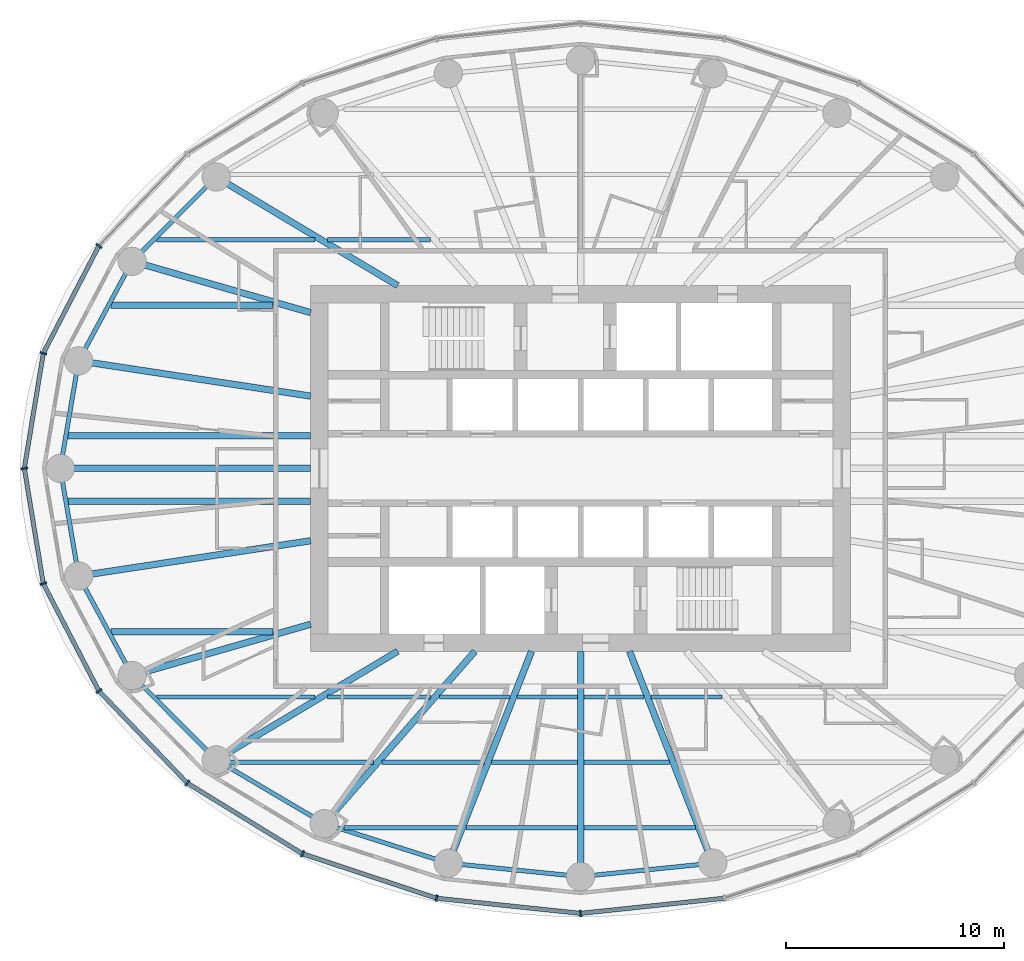
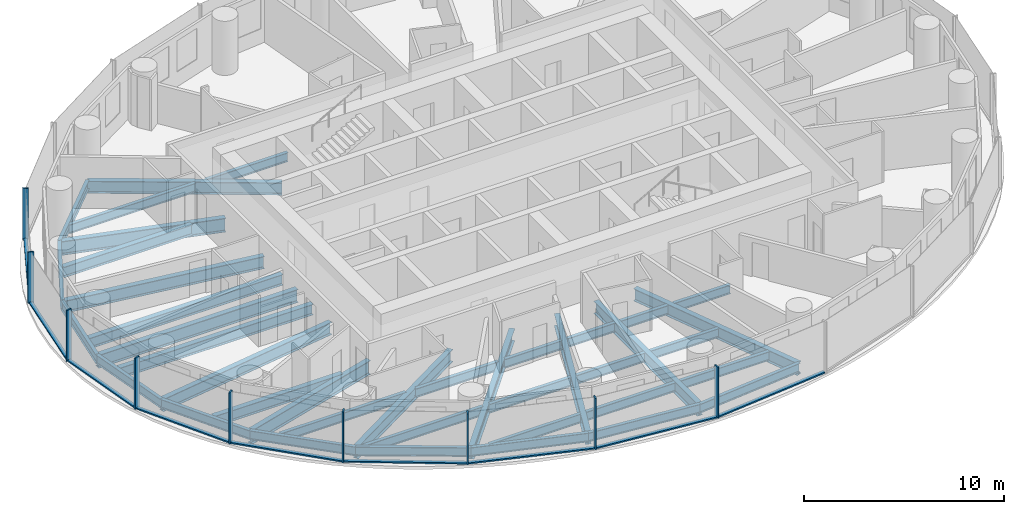
# One storey, part 2 of 13: 40 beams, 18 members, 3 elements without a shape of their own.
"""IFC4 building model written with IfcOpenShell, lengths in metres."""

import ifcopenshell
import ifcopenshell.guid

model = None  # the IFC model being written
_history = None  # IfcOwnerHistory: only IFC2X3 demands one
_inside = {}  # id of a spatial element -> (the spatial element, [elements in it])
_under = {}  # id of a project, library or spatial element -> (it, [spatial elements below it])
_declared = {}  # id of a project -> (the project, [libraries it declares])
_typed = {}  # id of a type object -> (the type object, [elements of that type])
_made_of = {}  # id of a material, layer set ... -> (it, [elements and type objects made of it])


def new_model(schema):
    """Start an empty IFC model of exactly this schema.

    Asked for "IFC4X3", IfcOpenShell would pick the latest addendum, in which some entities
    have other attributes; the version numbers below select the first issue.
    IFC2X3 requires an IfcOwnerHistory on every rooted entity: one is made here for all.
    """
    global model, _history
    if schema == "IFC4X3":
        model = ifcopenshell.file(schema_version=(4, 3, 0, 0))
    else:
        model = ifcopenshell.file(schema=schema)
    _inside.clear()
    _under.clear()
    _declared.clear()
    _typed.clear()
    _made_of.clear()
    _history = None
    if model.schema == "IFC2X3":
        org = make("IfcOrganization", Name="unknown")
        user = make(
            "IfcPersonAndOrganization",
            ThePerson=make("IfcPerson", FamilyName="unknown"),
            TheOrganization=org,
        )
        app = make(
            "IfcApplication",
            ApplicationDeveloper=org,
            Version="unknown",
            ApplicationFullName="unknown",
            ApplicationIdentifier="unknown",
        )
        _history = make(
            "IfcOwnerHistory",
            OwningUser=user,
            OwningApplication=app,
            ChangeAction="ADDED",
            CreationDate=0,
        )
    return model


def make(cls, **values):
    """One entity of the class cls with the attributes given. An attribute that is None is left unset."""
    return model.create_entity(
        cls, **{name: value for name, value in values.items() if value is not None}
    )


def rooted(cls, **values):
    """An entity with a GlobalId (a new one), such as an element, a storey or a relation."""
    return make(cls, GlobalId=ifcopenshell.guid.new(), OwnerHistory=_history, **values)


def si_unit(unit_type, name, prefix=None):
    """IfcSIUnit, for example si_unit("LENGTHUNIT", "METRE", prefix="MILLI")."""
    return make("IfcSIUnit", UnitType=unit_type, Prefix=prefix, Name=name)


def assignment(units):
    """IfcUnitAssignment: the units of a project."""
    return None if units is None else make("IfcUnitAssignment", Units=units)


def point(xyz):
    """IfcCartesianPoint."""
    return None if xyz is None else make("IfcCartesianPoint", Coordinates=xyz)


def direction(xyz):
    """IfcDirection."""
    return None if xyz is None else make("IfcDirection", DirectionRatios=xyz)


def frame(location, z_axis=None, x_axis=None):
    """IfcAxis2Placement3D, a coordinate frame: its origin and axes. An axis left out is left unset."""
    return make(
        "IfcAxis2Placement3D",
        Location=point(location),
        Axis=direction(z_axis),
        RefDirection=direction(x_axis),
    )


def frame_2d(location, x_axis=None):
    """IfcAxis2Placement2D, a coordinate frame in the plane: its origin and x axis."""
    return make(
        "IfcAxis2Placement2D", Location=point(location), RefDirection=direction(x_axis)
    )


def origin():
    """The frame at (0, 0, 0) with its axes left unset."""
    return frame((0.0, 0.0, 0.0))


def origin_2d():
    """The frame at (0, 0) in the plane with its x axis left unset."""
    return frame_2d((0.0, 0.0))


def place(relative_to, where):
    """IfcLocalPlacement: puts the frame where relative to a parent placement (None: the world)."""
    return make(
        "IfcLocalPlacement", PlacementRelTo=relative_to, RelativePlacement=where
    )


def context(
    kind, dimensions, precision=None, world=None, true_north=None, identifier=None
):
    """IfcGeometricRepresentationContext, for example the 3D "Model" context."""
    return make(
        "IfcGeometricRepresentationContext",
        ContextIdentifier=identifier,
        ContextType=kind,
        CoordinateSpaceDimension=dimensions,
        Precision=precision,
        WorldCoordinateSystem=world,
        TrueNorth=true_north,
    )


def subcontext(parent, identifier, kind, view, scale=None):
    """IfcGeometricRepresentationSubContext, for example "Body" below "Model"."""
    return make(
        "IfcGeometricRepresentationSubContext",
        ContextIdentifier=identifier,
        ContextType=kind,
        ParentContext=parent,
        TargetScale=scale,
        TargetView=view,
    )


def project(units=None, contexts=None):
    """IfcProject with its units and contexts."""
    return rooted(
        "IfcProject",
        Name="project",
        RepresentationContexts=contexts,
        UnitsInContext=assignment(units),
    )


def spatial(cls, under=None, at=None, **own):
    """A site, building, storey or space (cls), placed at a placement, below another one or the project."""
    s = rooted(cls, ObjectPlacement=at, **own)
    if under is not None:
        _under.setdefault(under.id(), (under, []))[1].append(s)
    return s


def profile(cls, at=None, kind="AREA", **sizes):
    """A parametric profile (cls). Its sizes go by their IFC names, for example OverallWidth=200.0."""
    return make(cls, ProfileType=kind, Position=at, **sizes)


def rectangle(**sizes):
    """IfcRectangleProfileDef."""
    return profile("IfcRectangleProfileDef", **sizes)


def i_section(**sizes):
    """IfcIShapeProfileDef."""
    return profile("IfcIShapeProfileDef", **sizes)


def extrude(swept, where, along, depth):
    """IfcExtrudedAreaSolid: the profile swept, set in the frame where, extruded along a direction by depth."""
    return make(
        "IfcExtrudedAreaSolid",
        SweptArea=swept,
        Position=where,
        ExtrudedDirection=direction(along),
        Depth=depth,
    )


def shape(context_of_items, identifier, shape_type, items):
    """IfcShapeRepresentation: the items that make up one representation, for example the "Body"."""
    return make(
        "IfcShapeRepresentation",
        ContextOfItems=context_of_items,
        RepresentationIdentifier=identifier,
        RepresentationType=shape_type,
        Items=items,
    )


def material(Name=None, Category=None):
    """IfcMaterial."""
    return make("IfcMaterial", Name=Name, Category=Category)


def material_profile(
    of_material, cross_section, Name=None, Category=None, Priority=None
):
    """IfcMaterialProfile: a cross section and its material."""
    return make(
        "IfcMaterialProfile",
        Name=Name,
        Material=of_material,
        Profile=cross_section,
        Priority=Priority,
        Category=Category,
    )


def profile_set(profiles, Name=None, composite=None):
    """IfcMaterialProfileSet."""
    return make(
        "IfcMaterialProfileSet",
        Name=Name,
        MaterialProfiles=profiles,
        CompositeProfile=composite,
    )


def made_of(thing, what):
    """Note that an element or type object is made of a material, layer set ...; save() writes the relation."""
    if what is not None:
        _made_of.setdefault(what.id(), (what, []))[1].append(thing)
    return thing


def type_object(cls, material=None, **own):
    """A type object (cls), such as IfcWallType, which elements share."""
    return made_of(rooted(cls, **own), material)


def element(
    cls,
    number,
    at=None,
    inside=None,
    cuts=None,
    type_object=None,
    material=None,
    context=None,
    identifier="Body",
    shape_type=None,
    held_by="IfcProductDefinitionShape",
    body=None,
    shapes=None,
    **own,
):
    """One element of the class cls, such as IfcWall. Its Tag is "e" and its number.

    at: its placement. inside: the storey or other place that contains it. cuts: it is an
    opening in that element (IfcRelVoidsElement). A single representation is given by context,
    identifier, shape_type and body (its items); several are given by shapes. held_by: the class
    of the entity that holds the representations. save() writes the other relations.
    """
    e = rooted(cls, Tag="e%d" % number, ObjectPlacement=at, **own)
    if body is not None:
        shapes = [shape(context, identifier, shape_type, body)]
    if shapes is not None:
        e.Representation = make(held_by, Representations=shapes)
    if inside is not None:
        _inside.setdefault(inside.id(), (inside, []))[1].append(e)
    if cuts is not None:
        rooted(
            "IfcRelVoidsElement", RelatingBuildingElement=cuts, RelatedOpeningElement=e
        )
    if type_object is not None:
        _typed.setdefault(type_object.id(), (type_object, []))[1].append(e)
    return made_of(e, material)


def aggregate(whole, parts):
    """IfcRelAggregates: a whole, such as a stair, and the parts it consists of."""
    return rooted("IfcRelAggregates", RelatingObject=whole, RelatedObjects=parts)


def save(model, path):
    """Write the relations noted so far, then the file.

    IfcRelAggregates (storeys below a building ...), IfcRelContainedInSpatialStructure (elements
    in a storey), IfcRelDefinesByType, IfcRelAssociatesMaterial and IfcRelDeclares: one each for
    every whole, place, type object, material and project.
    """
    for whole, parts in _under.values():
        aggregate(whole, parts)
    for where, things in _inside.values():
        rooted(
            "IfcRelContainedInSpatialStructure",
            RelatedElements=things,
            RelatingStructure=where,
        )
    for kind, things in _typed.values():
        rooted("IfcRelDefinesByType", RelatedObjects=things, RelatingType=kind)
    for what, things in _made_of.values():
        rooted("IfcRelAssociatesMaterial", RelatedObjects=things, RelatingMaterial=what)
    for by, libraries in _declared.values():
        rooted("IfcRelDeclares", RelatingContext=by, RelatedDefinitions=libraries)
    model.write(path)


model = new_model("IFC4")

# Units and contexts
model_context = context("Model", 3, precision=1e-05, world=origin(), true_north=direction((0.0, 1.0)))
body_context = subcontext(model_context, "Body", "Model", "MODEL_VIEW")
ifc_project = project(units=[si_unit("LENGTHUNIT", "METRE"), si_unit("AREAUNIT", "SQUARE_METRE"), si_unit("VOLUMEUNIT", "CUBIC_METRE"), si_unit("PLANEANGLEUNIT", "RADIAN"), si_unit("MASSUNIT", "GRAM", prefix="KILO")], contexts=[model_context])

# Site, building, storey
site_placement = place(None, origin())
site = spatial("IfcSite", under=ifc_project, at=site_placement, CompositionType="ELEMENT")
building_placement = place(site_placement, origin())
building = spatial("IfcBuilding", under=site, at=building_placement, Name="Hankou Lantern Tower", CompositionType="ELEMENT")
storey_placement = place(building_placement, frame((0.0, 0.0, 128.699951171875)))
storey = spatial("IfcBuildingStorey", under=building, at=storey_placement, Name="L33", CompositionType="ELEMENT", Elevation=128.699951171875)

# Beams
ifc_material_1 = material(Name="Steel Q355B", Category="steel")
ifc_material_profile_1 = material_profile(ifc_material_1, i_section(OverallWidth=0.199951171875, OverallDepth=0.550048828125, WebThickness=0.010009765625, FlangeThickness=0.01611328125, FilletRadius=0.012939453125, at=origin_2d()), Name="HN550x200x10x16")
ifc_profile_set_1 = profile_set([ifc_material_profile_1], Name="Steel Q355B")
beam_type_1 = type_object("IfcBeamType", Name="EB6 RING BEAM HN550x200x10x16", PredefinedType="SPANDREL", material=ifc_profile_set_1)
beam_1_placement = place(storey_placement, frame((-16.73388671875, 13.38720703125, -0.454833984375), z_axis=(-0.705945468625, -0.708266189599, 0.0), x_axis=(0.708266189599, -0.705945468625, 0.0)))
element("IfcBeam", 1, at=beam_1_placement, inside=storey, type_object=beam_type_1, Name="Ring beam R10-R11 L33", PredefinedType="SPANDREL", context=body_context, shape_type="SweptSolid", body=[
    extrude(i_section(OverallWidth=0.199951171875, OverallDepth=0.550048828125, WebThickness=0.010009765625, FlangeThickness=0.01611328125, FilletRadius=0.012939453125, at=origin_2d()), origin(), (0.0, 0.0, 1.0), 5.470458984375),
])
beam_2_placement = place(storey_placement, frame((-20.595703125, 9.5126953125, -0.454833984375), z_axis=(-0.473824901673, -0.880619079145, 0.0), x_axis=(0.880619079145, -0.473824901673, 0.0)))
element("IfcBeam", 2, at=beam_2_placement, inside=storey, type_object=beam_type_1, Name="Ring beam R11-R12 L33", PredefinedType="SPANDREL", context=body_context, shape_type="SweptSolid", body=[
    extrude(i_section(OverallWidth=0.199951171875, OverallDepth=0.550048828125, WebThickness=0.010009765625, FlangeThickness=0.01611328125, FilletRadius=0.012939453125, at=origin_2d()), origin(), (0.0, 0.0, 1.0), 5.190185546875),
])
for number, where, z_axis, x_axis, name in (
    (3, (-23.054931640625, 4.942138671875, -0.454833984375), (-0.168527258545, -0.985696993567, 0.0), (0.985696993567, -0.168527258545, 0.0), "Ring beam R12-R13 L33"),
    (4, (-23.89990234375, 0.0, -0.454833984375), (0.168527258545, -0.985696993567, 0.0), (0.985696993567, 0.168527258545, 0.0), "Ring beam R13-R14 L33"),
):
    element("IfcBeam", number, at=place(storey_placement, frame(where, z_axis=z_axis, x_axis=x_axis)), inside=storey, type_object=beam_type_1, Name=name, PredefinedType="SPANDREL", context=body_context, shape_type="SweptSolid", body=[
        extrude(i_section(OverallWidth=0.199951171875, OverallDepth=0.550048828125, WebThickness=0.010009765625, FlangeThickness=0.01611328125, FilletRadius=0.012939453125, at=origin_2d()), origin(), (0.0, 0.0, 1.0), 5.013916015625),
    ])
beam_3_placement = place(storey_placement, frame((-23.054931640625, -4.942138671875, -0.454833984375), z_axis=(0.473824901673, -0.880619079145, 0.0), x_axis=(0.880619079145, 0.473824901673, 0.0)))
element("IfcBeam", 5, at=beam_3_placement, inside=storey, type_object=beam_type_1, Name="Ring beam R14-R15 L33", PredefinedType="SPANDREL", context=body_context, shape_type="SweptSolid", body=[
    extrude(i_section(OverallWidth=0.199951171875, OverallDepth=0.550048828125, WebThickness=0.010009765625, FlangeThickness=0.01611328125, FilletRadius=0.012939453125, at=origin_2d()), origin(), (0.0, 0.0, 1.0), 5.190185546875),
])
beam_4_placement = place(storey_placement, frame((-20.595703125, -9.5126953125, -0.454833984375), z_axis=(0.705945468625, -0.708266189599, 0.0), x_axis=(0.708266189599, 0.705945468625, 0.0)))
element("IfcBeam", 6, at=beam_4_placement, inside=storey, type_object=beam_type_1, Name="Ring beam R15-R16 L33", PredefinedType="SPANDREL", context=body_context, shape_type="SweptSolid", body=[
    extrude(i_section(OverallWidth=0.199951171875, OverallDepth=0.550048828125, WebThickness=0.010009765625, FlangeThickness=0.01611328125, FilletRadius=0.012939453125, at=origin_2d()), origin(), (0.0, 0.0, 1.0), 5.470458984375),
])
beam_5_placement = place(storey_placement, frame((-16.73388671875, -13.38720703125, -0.454833984375), z_axis=(0.860988974188, -0.508623619513, 0.0), x_axis=(0.508623619513, 0.860988974188, 0.0)))
element("IfcBeam", 7, at=beam_5_placement, inside=storey, type_object=beam_type_1, Name="Ring beam R16-R17 L33", PredefinedType="SPANDREL", context=body_context, shape_type="SweptSolid", body=[
    extrude(i_section(OverallWidth=0.199951171875, OverallDepth=0.550048828125, WebThickness=0.010009765625, FlangeThickness=0.01611328125, FilletRadius=0.012939453125, at=origin_2d()), origin(), (0.0, 0.0, 1.0), 5.759033203125),
])
beam_6_placement = place(storey_placement, frame((-11.775390625, -16.31640625, -0.454833984375), z_axis=(0.952731090451, -0.303814860215, 0.0), x_axis=(0.303814860215, 0.952731090451, 0.0)))
element("IfcBeam", 8, at=beam_6_placement, inside=storey, type_object=beam_type_1, Name="Ring beam R17-R18 L33", PredefinedType="SPANDREL", context=body_context, shape_type="SweptSolid", body=[
    extrude(i_section(OverallWidth=0.199951171875, OverallDepth=0.550048828125, WebThickness=0.010009765625, FlangeThickness=0.01611328125, FilletRadius=0.012939453125, at=origin_2d()), origin(), (0.0, 0.0, 1.0), 5.984375),
])
for number, where, z_axis, x_axis, name in (
    (9, (-6.073974609375, -18.134521484375, -0.454833984375), (0.994905271594, -0.100814188259, 0.0), (0.100814188259, 0.994905271594, 0.0), "Ring beam R18-R19 L33"),
    (10, (0.0, -18.75, -0.454833984375), (0.994905271594, 0.100814188259, 0.0), (-0.100814188259, 0.994905271594, 0.0), "Ring beam R19-R20 L33"),
):
    element("IfcBeam", number, at=place(storey_placement, frame(where, z_axis=z_axis, x_axis=x_axis)), inside=storey, type_object=beam_type_1, Name=name, PredefinedType="SPANDREL", context=body_context, shape_type="SweptSolid", body=[
        extrude(i_section(OverallWidth=0.199951171875, OverallDepth=0.550048828125, WebThickness=0.010009765625, FlangeThickness=0.01611328125, FilletRadius=0.012939453125, at=origin_2d()), origin(), (0.0, 0.0, 1.0), 6.10498046875),
    ])

# Curtain wall, members
ifc_material_2 = material(Name="Glass, dark grey tinted laminated", Category="glass")
curtain_wall_type = type_object("IfcCurtainWallType", Name="CWB OUTER SKIN MID-RISE", PredefinedType="USERDEFINED", material=ifc_material_2)
curtain_wall_1_placement = place(storey_placement, origin())
curtain_wall_1 = element("IfcCurtainWall", 11, at=curtain_wall_1_placement, inside=storey, type_object=curtain_wall_type, Name="CWB L33 OS2", ObjectType="OUTER SKIN MID-RISE", PredefinedType="USERDEFINED")
ifc_material_3 = material(Name="Aluminium, black anodised", Category="aluminium")
ifc_material_profile_2 = material_profile(ifc_material_3, rectangle(XDim=0.080078125, YDim=0.300048828125, at=origin_2d()), Name="MU1 80X300")
ifc_profile_set_2 = profile_set([ifc_material_profile_2], Name="Aluminium, black anodised")
member_type_1 = type_object("IfcMemberType", Name="MU1 OUTER SKIN MULLION 80X300", PredefinedType="MULLION", material=ifc_profile_set_2)
member_1_placement = place(storey_placement, frame((-22.126953125, 10.219970703125, 0.0), z_axis=(0.0, 0.0, 1.0), x_axis=(-0.585205735974, -0.810884854084, 0.0)))
member_1 = element("IfcMember", 12, at=member_1_placement, type_object=member_type_1, Name="CWB mullion 5", PredefinedType="MULLION", context=body_context, shape_type="SweptSolid", body=[
    extrude(rectangle(XDim=0.080078125, YDim=0.300048828125, at=origin_2d()), origin(), (0.0, 0.0, 1.0), 3.1201171875),
])
member_2_placement = place(storey_placement, frame((-24.679443359375, 5.290283203125, 0.0), z_axis=(0.0, 0.0, 1.0), x_axis=(-0.317595577365, -0.94822626479, 0.0)))
member_2 = element("IfcMember", 13, at=member_2_placement, type_object=member_type_1, Name="CWB mullion 6", PredefinedType="MULLION", context=body_context, shape_type="SweptSolid", body=[
    extrude(rectangle(XDim=0.080078125, YDim=0.300048828125, at=origin_2d()), origin(), (0.0, 0.0, 1.0), 3.1201171875),
])

curtain_wall_2_placement = place(storey_placement, origin())
curtain_wall_2 = element("IfcCurtainWall", 14, at=curtain_wall_2_placement, inside=storey, type_object=curtain_wall_type, Name="CWB L33 OS3", ObjectType="OUTER SKIN MID-RISE", PredefinedType="USERDEFINED")
member_3_placement = place(storey_placement, frame((-25.550048828125, 0.0, 0.0), z_axis=(0.0, 0.0, 1.0), x_axis=(0.162381515188, -0.986728049427, 0.0)))
member_3 = element("IfcMember", 15, at=member_3_placement, type_object=member_type_1, Name="CWB mullion 1", PredefinedType="MULLION", context=body_context, shape_type="SweptSolid", body=[
    extrude(rectangle(XDim=0.080078125, YDim=0.300048828125, at=origin_2d()), origin(), (0.0, 0.0, 1.0), 3.1201171875),
])
member_4_placement = place(storey_placement, frame((-24.679443359375, -5.290283203125, 0.0), z_axis=(0.0, 0.0, 1.0), x_axis=(0.317595577365, -0.94822626479, 0.0)))
member_4 = element("IfcMember", 16, at=member_4_placement, type_object=member_type_1, Name="CWB mullion 2", PredefinedType="MULLION", context=body_context, shape_type="SweptSolid", body=[
    extrude(rectangle(XDim=0.080078125, YDim=0.300048828125, at=origin_2d()), origin(), (0.0, 0.0, 1.0), 3.1201171875),
])
member_5_placement = place(storey_placement, frame((-22.126953125, -10.219970703125, 0.0), z_axis=(0.0, 0.0, 1.0), x_axis=(0.585205735974, -0.810884854084, 0.0)))
member_5 = element("IfcMember", 17, at=member_5_placement, type_object=member_type_1, Name="CWB mullion 3", PredefinedType="MULLION", context=body_context, shape_type="SweptSolid", body=[
    extrude(rectangle(XDim=0.080078125, YDim=0.300048828125, at=origin_2d()), origin(), (0.0, 0.0, 1.0), 3.1201171875),
])
member_6_placement = place(storey_placement, frame((-18.066650390625, -14.453369140625, 0.0), z_axis=(0.0, 0.0, 1.0), x_axis=(0.780868809444, -0.624695047553, 0.0)))
member_6 = element("IfcMember", 18, at=member_6_placement, type_object=member_type_1, Name="CWB mullion 4", PredefinedType="MULLION", context=body_context, shape_type="SweptSolid", body=[
    extrude(rectangle(XDim=0.080078125, YDim=0.300048828125, at=origin_2d()), origin(), (0.0, 0.0, 1.0), 3.1201171875),
])
member_7_placement = place(storey_placement, frame((-12.77490234375, -17.70166015625, 0.0), z_axis=(0.0, 0.0, 1.0), x_axis=(0.907841299004, -0.419313934686, 0.0)))
member_7 = element("IfcMember", 19, at=member_7_placement, type_object=member_type_1, Name="CWB mullion 5", PredefinedType="MULLION", context=body_context, shape_type="SweptSolid", body=[
    extrude(rectangle(XDim=0.080078125, YDim=0.300048828125, at=origin_2d()), origin(), (0.0, 0.0, 1.0), 3.1201171875),
])
member_8_placement = place(storey_placement, frame((-6.61279296875, -19.743408203125, 0.0), z_axis=(0.0, 0.0, 1.0), x_axis=(0.977787659625, -0.209597931016, 0.0)))
member_8 = element("IfcMember", 20, at=member_8_placement, type_object=member_type_1, Name="CWB mullion 6", PredefinedType="MULLION", context=body_context, shape_type="SweptSolid", body=[
    extrude(rectangle(XDim=0.080078125, YDim=0.300048828125, at=origin_2d()), origin(), (0.0, 0.0, 1.0), 3.1201171875),
])

# Curtain wall, member
curtain_wall_3_placement = place(storey_placement, origin())
curtain_wall_3 = element("IfcCurtainWall", 21, at=curtain_wall_3_placement, inside=storey, type_object=curtain_wall_type, Name="CWB L33 OS4", ObjectType="OUTER SKIN MID-RISE", PredefinedType="USERDEFINED")
member_9_placement = place(storey_placement, frame((0.0, -20.43994140625, 0.0), z_axis=(0.0, 0.0, 1.0), x_axis=(0.994499359107, 0.104742659579, 0.0)))
member_9 = element("IfcMember", 22, at=member_9_placement, type_object=member_type_1, Name="CWB mullion 1", PredefinedType="MULLION", context=body_context, shape_type="SweptSolid", body=[
    extrude(rectangle(XDim=0.080078125, YDim=0.300048828125, at=origin_2d()), origin(), (0.0, 0.0, 1.0), 3.1201171875),
])

# Beams
ifc_material_4 = material(Name="Steel Q355B", Category="steel")
ifc_material_profile_3 = material_profile(ifc_material_4, i_section(OverallWidth=0.300048828125, OverallDepth=0.75, WebThickness=0.012939453125, FlangeThickness=0.02392578125, FilletRadius=0.01806640625, at=origin_2d()), Name="HN750x300x13x24")
ifc_profile_set_3 = profile_set([ifc_material_profile_3], Name="Steel Q355B")
beam_type_2 = type_object("IfcBeamType", Name="RB10 RADIAL BEAM HN750x300x13x24", PredefinedType="BEAM", material=ifc_profile_set_3)
beam_7_placement = place(storey_placement, frame((-8.39990234375, 8.39990234375, -0.554931640625), z_axis=(-0.858086776551, 0.513504706802, 0.0), x_axis=(-0.513504706802, -0.858086776551, 0.0)))
element("IfcBeam", 23, at=beam_7_placement, inside=storey, type_object=beam_type_2, Name="Radial beam R10 L33", PredefinedType="BEAM", context=body_context, shape_type="SweptSolid", body=[
    extrude(i_section(OverallWidth=0.300048828125, OverallDepth=0.75, WebThickness=0.012939453125, FlangeThickness=0.02392578125, FilletRadius=0.01806640625, at=origin_2d()), origin(), (0.0, 0.0, 1.0), 9.71240234375),
])
for number, where, z_axis, x_axis, name in (
    (24, (-12.39990234375, 3.322509765625, -0.554931640625), (-0.988643506875, 0.150279793429, 0.0), (-0.150279793429, -0.988643506875, 0.0), "Radial beam R12 L33"),
    (25, (-12.39990234375, -3.322509765625, -0.554931640625), (-0.988643506875, -0.150279793429, 0.0), (0.150279793429, -0.988643506875, 0.0), "Radial beam R14 L33"),
):
    element("IfcBeam", number, at=place(storey_placement, frame(where, z_axis=z_axis, x_axis=x_axis)), inside=storey, type_object=beam_type_2, Name=name, PredefinedType="BEAM", context=body_context, shape_type="SweptSolid", body=[
        extrude(i_section(OverallWidth=0.300048828125, OverallDepth=0.75, WebThickness=0.012939453125, FlangeThickness=0.02392578125, FilletRadius=0.01806640625, at=origin_2d()), origin(), (0.0, 0.0, 1.0), 10.77734375),
    ])
beam_8_placement = place(storey_placement, frame((-8.39990234375, -8.39990234375, -0.554931640625), z_axis=(-0.858086776551, -0.513504706802, 0.0), x_axis=(0.513504706802, -0.858086776551, 0.0)))
element("IfcBeam", 26, at=beam_8_placement, inside=storey, type_object=beam_type_2, Name="Radial beam R16 L33", PredefinedType="BEAM", context=body_context, shape_type="SweptSolid", body=[
    extrude(i_section(OverallWidth=0.300048828125, OverallDepth=0.75, WebThickness=0.012939453125, FlangeThickness=0.02392578125, FilletRadius=0.01806640625, at=origin_2d()), origin(), (0.0, 0.0, 1.0), 9.71240234375),
])
beam_9_placement = place(storey_placement, frame((-4.849853515625, -8.39990234375, -0.554931640625), z_axis=(-0.658429014446, -0.752642832249, 0.0), x_axis=(0.752642832249, -0.658429014446, 0.0)))
element("IfcBeam", 27, at=beam_9_placement, inside=storey, type_object=beam_type_2, Name="Radial beam R17 L33", PredefinedType="BEAM", context=body_context, shape_type="SweptSolid", body=[
    extrude(i_section(OverallWidth=0.300048828125, OverallDepth=0.75, WebThickness=0.012939453125, FlangeThickness=0.02392578125, FilletRadius=0.01806640625, at=origin_2d()), origin(), (0.0, 0.0, 1.0), 10.518310546875),
])
beam_10_placement = place(storey_placement, frame((-2.250732421875, -8.39990234375, -0.554931640625), z_axis=(-0.365563535437, -0.930786388791, 0.0), x_axis=(0.930786388791, -0.365563535437, 0.0)))
element("IfcBeam", 28, at=beam_10_placement, inside=storey, type_object=beam_type_2, Name="Radial beam R18 L33", PredefinedType="BEAM", context=body_context, shape_type="SweptSolid", body=[
    extrude(i_section(OverallWidth=0.300048828125, OverallDepth=0.75, WebThickness=0.012939453125, FlangeThickness=0.02392578125, FilletRadius=0.01806640625, at=origin_2d()), origin(), (0.0, 0.0, 1.0), 10.45849609375),
])
beam_11_placement = place(storey_placement, frame((0.0, -8.39990234375, -0.554931640625), z_axis=(0.0, -1.0, 0.0), x_axis=(1.0, 0.0, 0.0)))
element("IfcBeam", 29, at=beam_11_placement, inside=storey, type_object=beam_type_2, Name="Radial beam R19 L33", PredefinedType="BEAM", context=body_context, shape_type="SweptSolid", body=[
    extrude(i_section(OverallWidth=0.300048828125, OverallDepth=0.75, WebThickness=0.012939453125, FlangeThickness=0.02392578125, FilletRadius=0.01806640625, at=origin_2d()), origin(), (0.0, 0.0, 1.0), 10.35009765625),
])
beam_12_placement = place(storey_placement, frame((2.250732421875, -8.39990234375, -0.554931640625), z_axis=(0.365563535437, -0.930786388791, 0.0), x_axis=(0.930786388791, 0.365563535437, 0.0)))
element("IfcBeam", 30, at=beam_12_placement, inside=storey, type_object=beam_type_2, Name="Radial beam R20 L33", PredefinedType="BEAM", context=body_context, shape_type="SweptSolid", body=[
    extrude(i_section(OverallWidth=0.300048828125, OverallDepth=0.75, WebThickness=0.012939453125, FlangeThickness=0.02392578125, FilletRadius=0.01806640625, at=origin_2d()), origin(), (0.0, 0.0, 1.0), 10.45849609375),
])
ifc_material_5 = material(Name="Steel Q355B", Category="steel")
ifc_material_profile_4 = material_profile(ifc_material_5, i_section(OverallWidth=0.300048828125, OverallDepth=0.800048828125, WebThickness=0.013916015625, FlangeThickness=0.02587890625, FilletRadius=0.01806640625, at=origin_2d()), Name="HN800x300x14x26")
ifc_profile_set_4 = profile_set([ifc_material_profile_4], Name="Steel Q355B")
beam_type_3 = type_object("IfcBeamType", Name="RB11 RADIAL BEAM HN800x300x14x26", PredefinedType="BEAM", material=ifc_profile_set_4)
beam_13_placement = place(storey_placement, frame((-12.39990234375, 0.0, -0.579833984375), z_axis=(-1.0, 0.0, 0.0), x_axis=(0.0, -1.0, 0.0)))
element("IfcBeam", 31, at=beam_13_placement, inside=storey, type_object=beam_type_3, Name="Radial beam R13 L33", PredefinedType="BEAM", context=body_context, shape_type="SweptSolid", body=[
    extrude(i_section(OverallWidth=0.300048828125, OverallDepth=0.800048828125, WebThickness=0.013916015625, FlangeThickness=0.02587890625, FilletRadius=0.01806640625, at=origin_2d()), origin(), (0.0, 0.0, 1.0), 11.5),
])
ifc_material_6 = material(Name="Steel Q355B", Category="steel")
ifc_material_profile_5 = material_profile(ifc_material_6, i_section(OverallWidth=0.300048828125, OverallDepth=0.85009765625, WebThickness=0.01611328125, FlangeThickness=0.027099609375, FilletRadius=0.01806640625, at=origin_2d()), Name="HN850x300x16x27")
ifc_profile_set_5 = profile_set([ifc_material_profile_5], Name="Steel Q355B")
beam_type_4 = type_object("IfcBeamType", Name="RB12 RADIAL BEAM HN850x300x16x27", PredefinedType="BEAM", material=ifc_profile_set_5)
for number, where, z_axis, x_axis, name in (
    (32, (-12.39990234375, 7.1591796875, -0.60498046875), (-0.961155741911, 0.276006593745, 0.0), (-0.276006593745, -0.961155741911, 0.0), "Radial beam R11 L33"),
    (33, (-12.39990234375, -7.1591796875, -0.60498046875), (-0.961155741911, -0.276006593745, 0.0), (0.276006593745, -0.961155741911, 0.0), "Radial beam R15 L33"),
):
    element("IfcBeam", number, at=place(storey_placement, frame(where, z_axis=z_axis, x_axis=x_axis)), inside=storey, type_object=beam_type_4, Name=name, PredefinedType="BEAM", context=body_context, shape_type="SweptSolid", body=[
        extrude(i_section(OverallWidth=0.300048828125, OverallDepth=0.85009765625, WebThickness=0.01611328125, FlangeThickness=0.027099609375, FilletRadius=0.01806640625, at=origin_2d()), origin(), (0.0, 0.0, 1.0), 8.527099609375),
    ])
ifc_material_7 = material(Name="Steel Q355B", Category="steel")
ifc_material_profile_6 = material_profile(ifc_material_7, i_section(OverallWidth=0.199951171875, OverallDepth=0.550048828125, WebThickness=0.010009765625, FlangeThickness=0.01611328125, FilletRadius=0.012939453125, at=origin_2d()), Name="HN550x200x10x16")
ifc_profile_set_6 = profile_set([ifc_material_profile_6], Name="Steel Q355B")
beam_type_5 = type_object("IfcBeamType", Name="SB6 SECONDARY BEAM HN550x200x10x16", PredefinedType="JOIST", material=ifc_profile_set_6)
beam_14_placement = place(storey_placement, frame((-10.8701171875, -16.5, -0.454833984375), z_axis=(1.0, 0.0, 0.0), x_axis=(0.0, 1.0, 0.0)))
element("IfcBeam", 34, at=beam_14_placement, inside=storey, type_object=beam_type_5, Name="Floor joist J001 L33", PredefinedType="JOIST", context=body_context, shape_type="SweptSolid", body=[
    extrude(i_section(OverallWidth=0.199951171875, OverallDepth=0.550048828125, WebThickness=0.010009765625, FlangeThickness=0.01611328125, FilletRadius=0.012939453125, at=origin_2d()), origin(), (0.0, 0.0, 1.0), 5.27685546875),
])
for number, where, z_axis, x_axis, name in (
    (35, (-5.270751953125, -16.5, -0.454833984375), (1.0, 0.0, 0.0), (0.0, 1.0, 0.0), "Floor joist J002 L33"),
    (36, (0.14990234375, -16.5, -0.454833984375), (1.0, 0.0, 0.0), (0.0, 1.0, 0.0), "Floor joist J003 L33"),
):
    element("IfcBeam", number, at=place(storey_placement, frame(where, z_axis=z_axis, x_axis=x_axis)), inside=storey, type_object=beam_type_5, Name=name, PredefinedType="JOIST", context=body_context, shape_type="SweptSolid", body=[
        extrude(i_section(OverallWidth=0.199951171875, OverallDepth=0.550048828125, WebThickness=0.010009765625, FlangeThickness=0.01611328125, FilletRadius=0.012939453125, at=origin_2d()), origin(), (0.0, 0.0, 1.0), 5.120849609375),
    ])
beam_15_placement = place(storey_placement, frame((-16.34619140625, -13.5, -0.454833984375), z_axis=(1.0, 0.0, 0.0), x_axis=(0.0, 1.0, 0.0)))
element("IfcBeam", 37, at=beam_15_placement, inside=storey, type_object=beam_type_5, Name="Floor joist J005 L33", PredefinedType="JOIST", context=body_context, shape_type="SweptSolid", body=[
    extrude(i_section(OverallWidth=0.199951171875, OverallDepth=0.550048828125, WebThickness=0.010009765625, FlangeThickness=0.01611328125, FilletRadius=0.012939453125, at=origin_2d()), origin(), (0.0, 0.0, 1.0), 6.83544921875),
])
beam_16_placement = place(storey_placement, frame((-9.112060546875, -13.5, -0.454833984375), z_axis=(1.0, 0.0, 0.0), x_axis=(0.0, 1.0, 0.0)))
element("IfcBeam", 38, at=beam_16_placement, inside=storey, type_object=beam_type_5, Name="Floor joist J006 L33", PredefinedType="JOIST", context=body_context, shape_type="SweptSolid", body=[
    extrude(i_section(OverallWidth=0.199951171875, OverallDepth=0.550048828125, WebThickness=0.010009765625, FlangeThickness=0.01611328125, FilletRadius=0.012939453125, at=origin_2d()), origin(), (0.0, 0.0, 1.0), 4.697021484375),
])
for number, where, z_axis, x_axis, name in (
    (39, (-4.092529296875, -13.5, -0.454833984375), (1.0, 0.0, 0.0), (0.0, 1.0, 0.0), "Floor joist J007 L33"),
    (40, (0.14990234375, -13.5, -0.454833984375), (1.0, 0.0, 0.0), (0.0, 1.0, 0.0), "Floor joist J008 L33"),
):
    element("IfcBeam", number, at=place(storey_placement, frame(where, z_axis=z_axis, x_axis=x_axis)), inside=storey, type_object=beam_type_5, Name=name, PredefinedType="JOIST", context=body_context, shape_type="SweptSolid", body=[
        extrude(i_section(OverallWidth=0.199951171875, OverallDepth=0.550048828125, WebThickness=0.010009765625, FlangeThickness=0.01611328125, FilletRadius=0.012939453125, at=origin_2d()), origin(), (0.0, 0.0, 1.0), 3.942626953125),
    ])
beam_17_placement = place(storey_placement, frame((-19.470458984375, -10.5, -0.454833984375), z_axis=(1.0, 0.0, 0.0), x_axis=(0.0, 1.0, 0.0)))
element("IfcBeam", 41, at=beam_17_placement, inside=storey, type_object=beam_type_5, Name="Floor joist J011 L33", PredefinedType="JOIST", context=body_context, shape_type="SweptSolid", body=[
    extrude(i_section(OverallWidth=0.199951171875, OverallDepth=0.550048828125, WebThickness=0.010009765625, FlangeThickness=0.01611328125, FilletRadius=0.012939453125, at=origin_2d()), origin(), (0.0, 0.0, 1.0), 7.26904296875),
])
beam_18_placement = place(storey_placement, frame((-11.6171875, -10.5, -0.454833984375), z_axis=(1.0, 0.0, 0.0), x_axis=(0.0, 1.0, 0.0)))
element("IfcBeam", 42, at=beam_18_placement, inside=storey, type_object=beam_type_5, Name="Floor joist J012 L33", PredefinedType="JOIST", context=body_context, shape_type="SweptSolid", body=[
    extrude(i_section(OverallWidth=0.199951171875, OverallDepth=0.550048828125, WebThickness=0.010009765625, FlangeThickness=0.01611328125, FilletRadius=0.012939453125, at=origin_2d()), origin(), (0.0, 0.0, 1.0), 4.73095703125),
])
beam_19_placement = place(storey_placement, frame((-6.487548828125, -10.5, -0.454833984375), z_axis=(1.0, 0.0, 0.0), x_axis=(0.0, 1.0, 0.0)))
element("IfcBeam", 43, at=beam_19_placement, inside=storey, type_object=beam_type_5, Name="Floor joist J013 L33", PredefinedType="JOIST", context=body_context, shape_type="SweptSolid", body=[
    extrude(i_section(OverallWidth=0.199951171875, OverallDepth=0.550048828125, WebThickness=0.010009765625, FlangeThickness=0.01611328125, FilletRadius=0.012939453125, at=origin_2d()), origin(), (0.0, 0.0, 1.0), 3.2509765625),
])
for number, where, z_axis, x_axis, name in (
    (44, (-2.914306640625, -10.5, -0.454833984375), (1.0, 0.0, 0.0), (0.0, 1.0, 0.0), "Floor joist J014 L33"),
    (45, (0.14990234375, -10.5, -0.454833984375), (1.0, 0.0, 0.0), (0.0, 1.0, 0.0), "Floor joist J015 L33"),
):
    element("IfcBeam", number, at=place(storey_placement, frame(where, z_axis=z_axis, x_axis=x_axis)), inside=storey, type_object=beam_type_5, Name=name, PredefinedType="JOIST", context=body_context, shape_type="SweptSolid", body=[
        extrude(i_section(OverallWidth=0.199951171875, OverallDepth=0.550048828125, WebThickness=0.010009765625, FlangeThickness=0.01611328125, FilletRadius=0.012939453125, at=origin_2d()), origin(), (0.0, 0.0, 1.0), 2.764404296875),
    ])
beam_20_placement = place(storey_placement, frame((3.236572265625, -10.5, -0.454833984375), z_axis=(1.0, 0.0, 0.0), x_axis=(0.0, 1.0, 0.0)))
element("IfcBeam", 46, at=beam_20_placement, inside=storey, type_object=beam_type_5, Name="Floor joist J016 L33", PredefinedType="JOIST", context=body_context, shape_type="SweptSolid", body=[
    extrude(i_section(OverallWidth=0.199951171875, OverallDepth=0.550048828125, WebThickness=0.010009765625, FlangeThickness=0.01611328125, FilletRadius=0.012939453125, at=origin_2d()), origin(), (0.0, 0.0, 1.0), 3.2509765625),
])
beam_21_placement = place(storey_placement, frame((-19.470458984375, 10.5, -0.454833984375), z_axis=(1.0, 0.0, 0.0), x_axis=(0.0, 1.0, 0.0)))
element("IfcBeam", 47, at=beam_21_placement, inside=storey, type_object=beam_type_5, Name="Floor joist J035 L33", PredefinedType="JOIST", context=body_context, shape_type="SweptSolid", body=[
    extrude(i_section(OverallWidth=0.199951171875, OverallDepth=0.550048828125, WebThickness=0.010009765625, FlangeThickness=0.01611328125, FilletRadius=0.012939453125, at=origin_2d()), origin(), (0.0, 0.0, 1.0), 7.26904296875),
])
beam_22_placement = place(storey_placement, frame((-11.6171875, 10.5, -0.454833984375), z_axis=(1.0, 0.0, 0.0), x_axis=(0.0, 1.0, 0.0)))
element("IfcBeam", 48, at=beam_22_placement, inside=storey, type_object=beam_type_5, Name="Floor joist J036 L33", PredefinedType="JOIST", context=body_context, shape_type="SweptSolid", body=[
    extrude(i_section(OverallWidth=0.199951171875, OverallDepth=0.550048828125, WebThickness=0.010009765625, FlangeThickness=0.01611328125, FilletRadius=0.012939453125, at=origin_2d()), origin(), (0.0, 0.0, 1.0), 4.73095703125),
])
ifc_material_8 = material(Name="Steel Q355B", Category="steel")
ifc_material_profile_7 = material_profile(ifc_material_8, i_section(OverallWidth=0.300048828125, OverallDepth=0.64990234375, WebThickness=0.010986328125, FlangeThickness=0.01708984375, FilletRadius=0.01806640625, at=origin_2d()), Name="HN650x300x11x17")
ifc_profile_set_7 = profile_set([ifc_material_profile_7], Name="Steel Q355B")
beam_type_6 = type_object("IfcBeamType", Name="SB8 SECONDARY BEAM HN650x300x11x17", PredefinedType="JOIST", material=ifc_profile_set_7)
beam_23_placement = place(storey_placement, frame((-21.56494140625, -7.5, -0.5048828125), z_axis=(1.0, 0.0, 0.0), x_axis=(0.0, 1.0, 0.0)))
element("IfcBeam", 49, at=beam_23_placement, inside=storey, type_object=beam_type_6, Name="Floor joist J019 L33", PredefinedType="JOIST", context=body_context, shape_type="SweptSolid", body=[
    extrude(i_section(OverallWidth=0.300048828125, OverallDepth=0.64990234375, WebThickness=0.010986328125, FlangeThickness=0.01708984375, FilletRadius=0.01806640625, at=origin_2d()), origin(), (0.0, 0.0, 1.0), 7.4345703125),
])
for number, where, z_axis, x_axis, name in (
    (50, (-23.5419921875, -1.5, -0.5048828125), (1.0, 0.0, 0.0), (0.0, 1.0, 0.0), "Floor joist J025 L33"),
    (51, (-23.5419921875, 1.5, -0.5048828125), (1.0, 0.0, 0.0), (0.0, 1.0, 0.0), "Floor joist J027 L33"),
):
    element("IfcBeam", number, at=place(storey_placement, frame(where, z_axis=z_axis, x_axis=x_axis)), inside=storey, type_object=beam_type_6, Name=name, PredefinedType="JOIST", context=body_context, shape_type="SweptSolid", body=[
        extrude(i_section(OverallWidth=0.300048828125, OverallDepth=0.64990234375, WebThickness=0.010986328125, FlangeThickness=0.01708984375, FilletRadius=0.01806640625, at=origin_2d()), origin(), (0.0, 0.0, 1.0), 11.14208984375),
    ])
beam_24_placement = place(storey_placement, frame((-21.56494140625, 7.5, -0.5048828125), z_axis=(1.0, 0.0, 0.0), x_axis=(0.0, 1.0, 0.0)))
element("IfcBeam", 52, at=beam_24_placement, inside=storey, type_object=beam_type_6, Name="Floor joist J033 L33", PredefinedType="JOIST", context=body_context, shape_type="SweptSolid", body=[
    extrude(i_section(OverallWidth=0.300048828125, OverallDepth=0.64990234375, WebThickness=0.010986328125, FlangeThickness=0.01708984375, FilletRadius=0.01806640625, at=origin_2d()), origin(), (0.0, 0.0, 1.0), 7.4345703125),
])

# Member
ifc_material_9 = material(Name="Aluminium, black anodised", Category="aluminium")
ifc_material_profile_8 = material_profile(ifc_material_9, rectangle(XDim=0.199951171875, YDim=0.080078125, at=origin_2d()), Name="TR1 200X80")
ifc_profile_set_8 = profile_set([ifc_material_profile_8], Name="Aluminium, black anodised")
member_type_2 = type_object("IfcMemberType", Name="TR1 OUTER SKIN TRANSOM 200X80", PredefinedType="USERDEFINED", material=ifc_profile_set_8)
member_10_placement = place(storey_placement, frame((-22.145263671875, 10.1845703125, 0.0400390625), z_axis=(-0.459805240543, -0.888019786249, 0.0), x_axis=(0.888019786249, -0.459805240543, 0.0)))
member_10 = element("IfcMember", 53, at=member_10_placement, type_object=member_type_2, Name="CWB transom 5", ObjectType="TRANSOM", PredefinedType="USERDEFINED", context=body_context, shape_type="SweptSolid", body=[
    extrude(rectangle(XDim=0.199951171875, YDim=0.080078125, at=origin_2d()), origin(), (0.0, 0.0, 1.0), 5.4716796875),
])

member_11_placement = place(storey_placement, frame((-24.685791015625, 5.250732421875, 0.0400390625), z_axis=(-0.162397124076, -0.986725480614, 0.0), x_axis=(0.986725480614, -0.162397124076, 0.0)))
member_11 = element("IfcMember", 54, at=member_11_placement, type_object=member_type_2, Name="CWB transom 6", ObjectType="TRANSOM", PredefinedType="USERDEFINED", context=body_context, shape_type="SweptSolid", body=[
    extrude(rectangle(XDim=0.199951171875, YDim=0.080078125, at=origin_2d()), origin(), (0.0, 0.0, 1.0), 5.28125),
])

aggregate(curtain_wall_1, [member_1, member_2, member_10, member_11])

member_12_placement = place(storey_placement, frame((-25.54345703125, -0.03955078125, 0.0400390625), z_axis=(0.162397124076, -0.986725480614, 0.0), x_axis=(0.986725480614, 0.162397124076, 0.0)))
member_12 = element("IfcMember", 55, at=member_12_placement, type_object=member_type_2, Name="CWB transom 1", ObjectType="TRANSOM", PredefinedType="USERDEFINED", context=body_context, shape_type="SweptSolid", body=[
    extrude(rectangle(XDim=0.199951171875, YDim=0.080078125, at=origin_2d()), origin(), (0.0, 0.0, 1.0), 5.28125),
])

member_13_placement = place(storey_placement, frame((-24.6611328125, -5.32568359375, 0.0400390625), z_axis=(0.459805240543, -0.888019786249, 0.0), x_axis=(0.888019786249, 0.459805240543, 0.0)))
member_13 = element("IfcMember", 56, at=member_13_placement, type_object=member_type_2, Name="CWB transom 2", ObjectType="TRANSOM", PredefinedType="USERDEFINED", context=body_context, shape_type="SweptSolid", body=[
    extrude(rectangle(XDim=0.199951171875, YDim=0.080078125, at=origin_2d()), origin(), (0.0, 0.0, 1.0), 5.4716796875),
])

member_14_placement = place(storey_placement, frame((-22.099365234375, -10.248779296875, 0.0400390625), z_axis=(0.692226977748, -0.721679853729, 0.0), x_axis=(0.721679853729, 0.692226977748, 0.0)))
member_14 = element("IfcMember", 57, at=member_14_placement, type_object=member_type_2, Name="CWB transom 3", ObjectType="TRANSOM", PredefinedType="USERDEFINED", context=body_context, shape_type="SweptSolid", body=[
    extrude(rectangle(XDim=0.199951171875, YDim=0.080078125, at=origin_2d()), origin(), (0.0, 0.0, 1.0), 5.785888671875),
])

member_15_placement = place(storey_placement, frame((-18.032470703125, -14.47412109375, 0.0400390625), z_axis=(0.852229492169, -0.523168130411, 0.0), x_axis=(0.523168130411, 0.852229492169, 0.0)))
member_15 = element("IfcMember", 58, at=member_15_placement, type_object=member_type_2, Name="CWB transom 4", ObjectType="TRANSOM", PredefinedType="USERDEFINED", context=body_context, shape_type="SweptSolid", body=[
    extrude(rectangle(XDim=0.199951171875, YDim=0.080078125, at=origin_2d()), origin(), (0.0, 0.0, 1.0), 6.129150390625),
])

member_16_placement = place(storey_placement, frame((-12.737060546875, -17.714111328125, 0.0400390625), z_axis=(0.949237765745, -0.314559476225, 0.0), x_axis=(0.314559476225, 0.949237765745, 0.0)))
member_16 = element("IfcMember", 59, at=member_16_placement, type_object=member_type_2, Name="CWB transom 5", ObjectType="TRANSOM", PredefinedType="USERDEFINED", context=body_context, shape_type="SweptSolid", body=[
    extrude(rectangle(XDim=0.199951171875, YDim=0.080078125, at=origin_2d()), origin(), (0.0, 0.0, 1.0), 6.41162109375),
])

member_17_placement = place(storey_placement, frame((-6.572998046875, -19.747802734375, 0.0400390625), z_axis=(0.994500972001, -0.10472734451, 0.0), x_axis=(0.10472734451, 0.994500972001, 0.0)))
member_17 = element("IfcMember", 60, at=member_17_placement, type_object=member_type_2, Name="CWB transom 6", ObjectType="TRANSOM", PredefinedType="USERDEFINED", context=body_context, shape_type="SweptSolid", body=[
    extrude(rectangle(XDim=0.199951171875, YDim=0.080078125, at=origin_2d()), origin(), (0.0, 0.0, 1.0), 6.5693359375),
])

aggregate(curtain_wall_2, [member_3, member_4, member_5, member_6, member_7, member_8, member_12, member_13, member_14, member_15, member_16, member_17])

member_18_placement = place(storey_placement, frame((0.039794921875, -20.435791015625, 0.0400390625), z_axis=(0.994500972001, 0.10472734451, 0.0), x_axis=(-0.10472734451, 0.994500972001, 0.0)))
member_18 = element("IfcMember", 61, at=member_18_placement, type_object=member_type_2, Name="CWB transom 1", ObjectType="TRANSOM", PredefinedType="USERDEFINED", context=body_context, shape_type="SweptSolid", body=[
    extrude(rectangle(XDim=0.199951171875, YDim=0.080078125, at=origin_2d()), origin(), (0.0, 0.0, 1.0), 6.5693359375),
])

aggregate(curtain_wall_3, [member_9, member_18])

save(model, "model.ifc")
